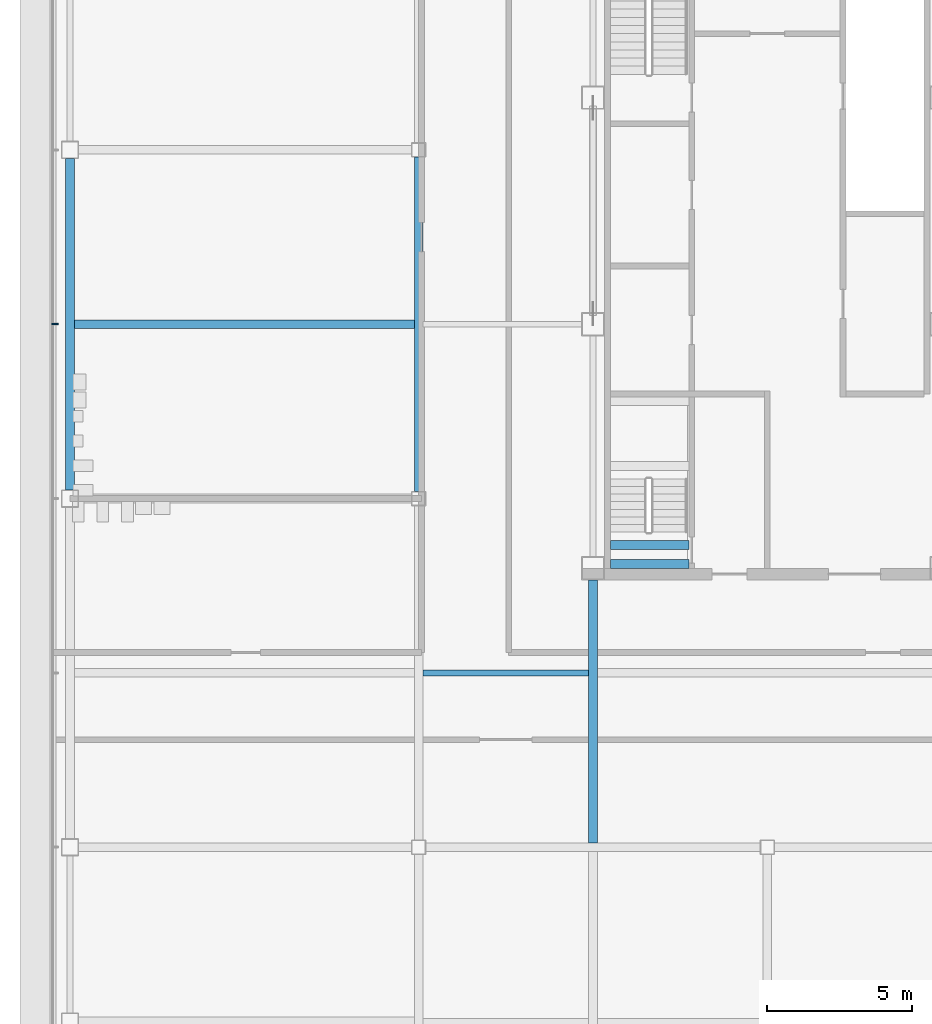
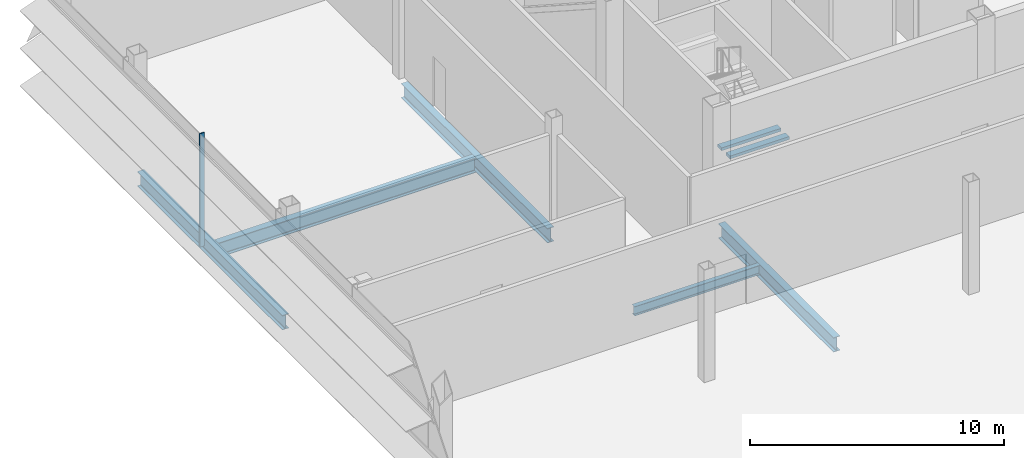
# One storey, part 7 of 26: 7 beams, 1 member, 1 element without a shape of its own.
"""IFC4 building model written with IfcOpenShell, lengths in metres."""

from ifc_helpers import new_model, si_unit, direction, frame, origin, origin_2d, place, context, subcontext, project, spatial, rectangle, i_section, extrude, material, material_profile, profile_set, type_object, element, aggregate, save


model = new_model("IFC4")

# Units and contexts
model_context = context("Model", 3, precision=1e-05, world=origin(), true_north=direction((0.0, 1.0)))
body_context = subcontext(model_context, "Body", "Model", "MODEL_VIEW")
ifc_project = project(units=[si_unit("LENGTHUNIT", "METRE"), si_unit("AREAUNIT", "SQUARE_METRE"), si_unit("VOLUMEUNIT", "CUBIC_METRE"), si_unit("PLANEANGLEUNIT", "RADIAN"), si_unit("MASSUNIT", "GRAM", prefix="KILO")], contexts=[model_context])

# Site, building, storey
site_placement = place(None, origin())
site = spatial("IfcSite", under=ifc_project, at=site_placement, CompositionType="ELEMENT")
building_placement = place(site_placement, origin())
building = spatial("IfcBuilding", under=site, at=building_placement, Name="Sorahane Residences", CompositionType="ELEMENT")
storey_placement = place(building_placement, frame((0.0, 0.0, 257.60009765625)))
storey = spatial("IfcBuildingStorey", under=building, at=storey_placement, Name="L61", CompositionType="ELEMENT", Elevation=257.60009765625)

# Curtain wall, member
ifc_material_1 = material(Name="Dark low-e glass and black anodised aluminium", Category="aluminium")
curtain_wall_type = type_object("IfcCurtainWallType", Name="Curtain wall CW-4 Sky floor frameless wall", PredefinedType="NOTDEFINED", material=ifc_material_1)
curtain_wall_placement = place(storey_placement, origin())
curtain_wall = element("IfcCurtainWall", 1, at=curtain_wall_placement, inside=storey, type_object=curtain_wall_type, Name="CW-4 curtain wall L61 W1", PredefinedType="NOTDEFINED")
ifc_material_2 = material(Name="Black anodised aluminium", Category="aluminium")
ifc_material_profile_1 = material_profile(ifc_material_2, rectangle(XDim=0.219970703125, YDim=0.050048828125, at=origin_2d()), Name="Curtain wall mullion CW-4 black anodised aluminium 50x220")
ifc_profile_set_1 = profile_set([ifc_material_profile_1], Name="Black anodised aluminium")
member_type = type_object("IfcMemberType", Name="Curtain wall mullion CW-4 black anodised aluminium 50x220", PredefinedType="MULLION", material=ifc_profile_set_1)
member_placement = place(storey_placement, frame((-12.510009765625, 30.0, -0.22021484375), z_axis=(0.0, 0.0, 1.0), x_axis=(-1.0, 0.0, 0.0)))
member = element("IfcMember", 2, at=member_placement, type_object=member_type, Name="CW-4 mullion L61 W1.3", PredefinedType="MULLION", context=body_context, shape_type="SweptSolid", body=[
    extrude(rectangle(XDim=0.219970703125, YDim=0.050048828125, at=origin_2d()), origin(), (0.0, 0.0, 1.0), 5.440185546875),
])
aggregate(curtain_wall, [member])

# Beams
ifc_material_3 = material(Name="Concrete C40", Category="concrete")
ifc_material_profile_2 = material_profile(ifc_material_3, rectangle(XDim=0.300048828125, YDim=0.139892578125, at=origin_2d()), Name="300x140")
ifc_profile_set_2 = profile_set([ifc_material_profile_2], Name="Concrete C40")
beam_type_1 = type_object("IfcBeamType", Name="RC landing beam 300 x 140 Concrete C40", PredefinedType="BEAM", material=ifc_profile_set_2)
for number, where, z_axis, x_axis, name in (
    (3, (6.60009765625, 21.75, 2.429931640625), (1.0, 0.0, 0.0), (0.0, 1.0, 0.0), "Landing beam"),
    (4, (6.60009765625, 22.39990234375, 2.429931640625), (1.0, 0.0, 0.0), (0.0, 1.0, 0.0), "Landing beam"),
):
    element("IfcBeam", number, at=place(storey_placement, frame(where, z_axis=z_axis, x_axis=x_axis)), inside=storey, type_object=beam_type_1, Name=name, PredefinedType="BEAM", context=body_context, shape_type="SweptSolid", body=[
        extrude(rectangle(XDim=0.300048828125, YDim=0.139892578125, at=origin_2d()), origin(), (0.0, 0.0, 1.0), 2.699951171875),
    ])
ifc_material_4 = material(Name="Steel Q355B", Category="steel")
ifc_material_profile_3 = material_profile(ifc_material_4, i_section(OverallWidth=0.199951171875, OverallDepth=0.449951171875, WebThickness=0.009033203125, FlangeThickness=0.013916015625, FilletRadius=0.02001953125, at=origin_2d()), Name="HN 450x200x9x14")
ifc_profile_set_3 = profile_set([ifc_material_profile_3], Name="Steel Q355B")
beam_type_2 = type_object("IfcBeamType", Name="Steel floor beam HN 450x200x9x14 Q355B", PredefinedType="BEAM", material=ifc_profile_set_3)
beam_1_placement = place(storey_placement, frame((0.14990234375, 18.0, -0.445068359375), z_axis=(1.0, 0.0, 0.0), x_axis=(0.0, 1.0, 0.0)))
element("IfcBeam", 5, at=beam_1_placement, inside=storey, type_object=beam_type_2, Name="Beam L61 079", PredefinedType="BEAM", context=body_context, shape_type="SweptSolid", body=[
    extrude(i_section(OverallWidth=0.199951171875, OverallDepth=0.449951171875, WebThickness=0.009033203125, FlangeThickness=0.013916015625, FilletRadius=0.02001953125, at=origin_2d()), origin(), (0.0, 0.0, 1.0), 5.7001953125),
])
ifc_material_5 = material(Name="Steel Q355B", Category="steel")
ifc_material_profile_4 = material_profile(ifc_material_5, i_section(OverallWidth=0.300048828125, OverallDepth=0.699951171875, WebThickness=0.012939453125, FlangeThickness=0.02392578125, FilletRadius=0.028076171875, at=origin_2d()), Name="HN 700x300x13x24")
ifc_profile_set_4 = profile_set([ifc_material_profile_4], Name="Steel Q355B")
beam_type_3 = type_object("IfcBeamType", Name="Steel floor beam HN 700x300x13x24 Q355B", PredefinedType="BEAM", material=ifc_profile_set_4)
beam_2_placement = place(storey_placement, frame((-12.0, 24.300048828125, -0.570068359375), z_axis=(0.0, 1.0, 0.0), x_axis=(-1.0, 0.0, 0.0)))
element("IfcBeam", 6, at=beam_2_placement, inside=storey, type_object=beam_type_3, Name="Beam L61 022", PredefinedType="BEAM", context=body_context, shape_type="SweptSolid", body=[
    extrude(i_section(OverallWidth=0.300048828125, OverallDepth=0.699951171875, WebThickness=0.012939453125, FlangeThickness=0.02392578125, FilletRadius=0.028076171875, at=origin_2d()), origin(), (0.0, 0.0, 1.0), 11.39990234375),
])
beam_3_placement = place(storey_placement, frame((0.0, 24.25, -0.570068359375), z_axis=(0.0, 1.0, 0.0), x_axis=(-1.0, 0.0, 0.0)))
element("IfcBeam", 7, at=beam_3_placement, inside=storey, type_object=beam_type_3, Name="Beam L61 026", PredefinedType="BEAM", context=body_context, shape_type="SweptSolid", body=[
    extrude(i_section(OverallWidth=0.300048828125, OverallDepth=0.699951171875, WebThickness=0.012939453125, FlangeThickness=0.02392578125, FilletRadius=0.028076171875, at=origin_2d()), origin(), (0.0, 0.0, 1.0), 11.5),
])
beam_4_placement = place(storey_placement, frame((6.0, 12.14990234375, -0.570068359375), z_axis=(0.0, 1.0, 0.0), x_axis=(-1.0, 0.0, 0.0)))
element("IfcBeam", 8, at=beam_4_placement, inside=storey, type_object=beam_type_3, Name="Beam L61 029", PredefinedType="BEAM", context=body_context, shape_type="SweptSolid", body=[
    extrude(i_section(OverallWidth=0.300048828125, OverallDepth=0.699951171875, WebThickness=0.012939453125, FlangeThickness=0.02392578125, FilletRadius=0.028076171875, at=origin_2d()), origin(), (0.0, 0.0, 1.0), 9.050048828125),
])
beam_5_placement = place(storey_placement, frame((-11.85009765625, 30.0, -0.570068359375), z_axis=(1.0, 0.0, 0.0), x_axis=(0.0, 1.0, 0.0)))
element("IfcBeam", 9, at=beam_5_placement, inside=storey, type_object=beam_type_3, Name="Beam L61 085", PredefinedType="BEAM", context=body_context, shape_type="SweptSolid", body=[
    extrude(i_section(OverallWidth=0.300048828125, OverallDepth=0.699951171875, WebThickness=0.012939453125, FlangeThickness=0.02392578125, FilletRadius=0.028076171875, at=origin_2d()), origin(), (0.0, 0.0, 1.0), 11.7001953125),
])

save(model, "model.ifc")
